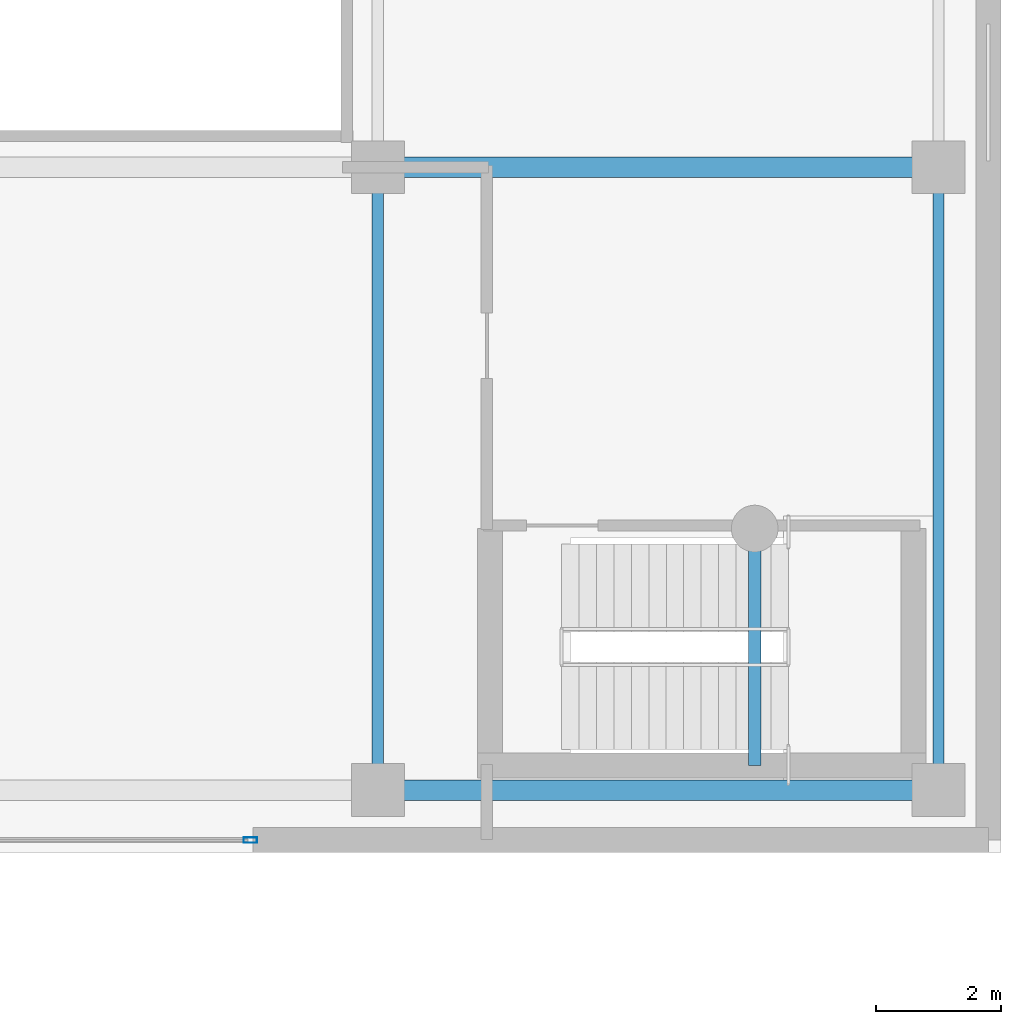
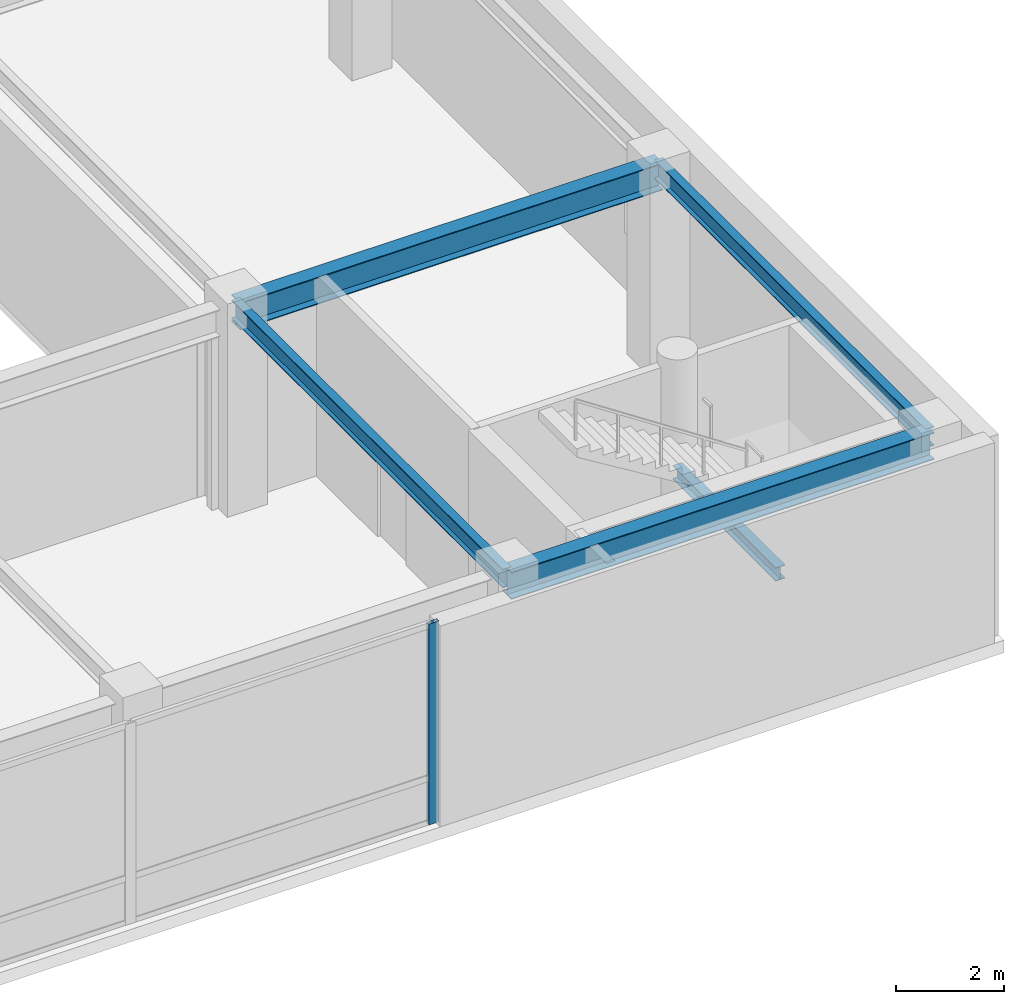
# One storey, part 23 of 40: 5 beams, 1 member, 1 element without a shape of its own.
"""IFC4 building model written with IfcOpenShell, lengths in metres."""

from ifc_helpers import new_model, si_unit, direction, frame, origin, origin_2d, place, context, subcontext, project, spatial, hollow_rectangle, i_section, extrude, material, layer, layer_set, material_profile, profile_set, type_object, element, aggregate, save


model = new_model("IFC4")

# Units and contexts
model_context = context("Model", 3, precision=1e-05, world=origin(), true_north=direction((0.0, 1.0)))
body_context = subcontext(model_context, "Body", "Model", "MODEL_VIEW")
ifc_project = project(units=[si_unit("LENGTHUNIT", "METRE"), si_unit("AREAUNIT", "SQUARE_METRE"), si_unit("VOLUMEUNIT", "CUBIC_METRE"), si_unit("PLANEANGLEUNIT", "RADIAN"), si_unit("MASSUNIT", "GRAM", prefix="KILO")], contexts=[model_context])

# Site, building, storey
site_placement = place(None, origin())
site = spatial("IfcSite", under=ifc_project, at=site_placement, CompositionType="ELEMENT")
building_placement = place(site_placement, origin())
building = spatial("IfcBuilding", under=site, at=building_placement, Name="Kazevale Care Tower and Concert Hall", CompositionType="ELEMENT")
storey_placement = place(building_placement, frame((0.0, 0.0, 9.60009765625)))
storey = spatial("IfcBuildingStorey", under=building, at=storey_placement, Name="L02", CompositionType="ELEMENT", Elevation=9.60009765625)

# Curtain wall, member
ifc_material_1 = material(Name="Aluminium 6063-T6 and Low-E Glass", Category="aluminium")
ifc_layer = layer(ifc_material_1, 0.179931640625)
ifc_layer_set = layer_set([ifc_layer], Name="Aluminium 6063-T6 and Low-E Glass")
curtain_wall_type = type_object("IfcCurtainWallType", Name="Concert Hall Foyer Storefront Curtain Wall CW-6", PredefinedType="NOTDEFINED", material=ifc_layer_set)
curtain_wall_placement = place(storey_placement, origin())
curtain_wall = element("IfcCurtainWall", 1, at=curtain_wall_placement, inside=storey, type_object=curtain_wall_type, Name="cw:L02:hall:S3", PredefinedType="NOTDEFINED")
ifc_material_2 = material(Name="Aluminium 6063-T6", Category="aluminium")
ifc_material_profile_1 = material_profile(ifc_material_2, hollow_rectangle(XDim=0.090087890625, YDim=0.219970703125, WallThickness=0.0048828125, at=origin_2d()), Name="ALU90x220x5")
ifc_profile_set_1 = profile_set([ifc_material_profile_1], Name="Aluminium 6063-T6")
member_type = type_object("IfcMemberType", Name="CW-6 Mullion ALU90x220x5", PredefinedType="MULLION", material=ifc_profile_set_1)
member_placement = place(storey_placement, frame((133.955078125, 14.199951171875, 0.0), z_axis=(0.0, 0.0, 1.0), x_axis=(0.0, 1.0, 0.0)))
member = element("IfcMember", 2, at=member_placement, type_object=member_type, Name="CW-6 mullion 3", PredefinedType="MULLION", context=body_context, shape_type="SweptSolid", body=[
    extrude(hollow_rectangle(XDim=0.090087890625, YDim=0.219970703125, WallThickness=0.0048828125, at=origin_2d()), origin(), (0.0, 0.0, 1.0), 4.52001953125),
])
aggregate(curtain_wall, [member])

# Beams
ifc_material_3 = material(Name="Steel ASTM A572 Gr 50", Category="steel")
ifc_material_profile_2 = material_profile(ifc_material_3, i_section(OverallWidth=0.323974609375, OverallDepth=0.611083984375, WebThickness=0.0126953125, FlangeThickness=0.01904296875, at=origin_2d()), Name="W610x155")
ifc_profile_set_2 = profile_set([ifc_material_profile_2], Name="Steel ASTM A572 Gr 50")
beam_type_1 = type_object("IfcBeamType", Name="Concert Hall Frame Girder W610x155", PredefinedType="BEAM", material=ifc_profile_set_2)
for number, where, z_axis, x_axis, name in (
    (3, (136.0, 15.0, 4.21435546875), (1.0, 0.0, 0.0), (0.0, 1.0, 0.0), "beam:L02:hx:136_15"),
    (4, (136.0, 25.0, 4.21435546875), (1.0, 0.0, 0.0), (0.0, 1.0, 0.0), "beam:L02:hx:136_25"),
):
    element("IfcBeam", number, at=place(storey_placement, frame(where, z_axis=z_axis, x_axis=x_axis)), inside=storey, type_object=beam_type_1, Name=name, PredefinedType="BEAM", context=body_context, shape_type="SweptSolid", body=[
        extrude(i_section(OverallWidth=0.323974609375, OverallDepth=0.611083984375, WebThickness=0.0126953125, FlangeThickness=0.01904296875, at=origin_2d()), origin(), (0.0, 0.0, 1.0), 9.0),
    ])
ifc_material_profile_3 = material_profile(ifc_material_3, i_section(OverallWidth=0.180908203125, OverallDepth=0.4169921875, WebThickness=0.010986328125, FlangeThickness=0.018310546875, at=origin_2d()), Name="W410x85")
ifc_profile_set_3 = profile_set([ifc_material_profile_3], Name="Steel ASTM A572 Gr 50")
beam_type_2 = type_object("IfcBeamType", Name="Concert Hall Secondary Beam W410x85", PredefinedType="BEAM", material=ifc_profile_set_3)
for number, where, z_axis, x_axis, name in (
    (5, (136.0, 15.0, 4.3115234375), (0.0, 1.0, 0.0), (-1.0, 0.0, 0.0), "beam:L02:hy:136_15"),
    (6, (145.0, 15.0, 4.3115234375), (0.0, 1.0, 0.0), (-1.0, 0.0, 0.0), "beam:L02:hy:145_15"),
):
    element("IfcBeam", number, at=place(storey_placement, frame(where, z_axis=z_axis, x_axis=x_axis)), inside=storey, type_object=beam_type_2, Name=name, PredefinedType="BEAM", context=body_context, shape_type="SweptSolid", body=[
        extrude(i_section(OverallWidth=0.180908203125, OverallDepth=0.4169921875, WebThickness=0.010986328125, FlangeThickness=0.018310546875, at=origin_2d()), origin(), (0.0, 0.0, 1.0), 10.0),
    ])
ifc_material_profile_4 = material_profile(ifc_material_3, i_section(OverallWidth=0.202880859375, OverallDepth=0.302978515625, WebThickness=0.007568359375, FlangeThickness=0.01318359375, at=origin_2d()), Name="W310x60")
ifc_profile_set_4 = profile_set([ifc_material_profile_4], Name="Steel ASTM A572 Gr 50")
beam_type_3 = type_object("IfcBeamType", Name="Stair & Balcony Trimmer W310x60", PredefinedType="BEAM", material=ifc_profile_set_4)
beam_placement = place(storey_placement, frame((142.050048828125, 15.39990234375, 2.04833984375), z_axis=(0.0, 1.0, 0.0), x_axis=(-1.0, 0.0, 0.0)))
element("IfcBeam", 7, at=beam_placement, inside=storey, type_object=beam_type_3, Name="beam:L02:ST5:trim:1", PredefinedType="BEAM", context=body_context, shape_type="SweptSolid", body=[
    extrude(i_section(OverallWidth=0.202880859375, OverallDepth=0.302978515625, WebThickness=0.007568359375, FlangeThickness=0.01318359375, at=origin_2d()), origin(), (0.0, 0.0, 1.0), 3.800048828125),
])

save(model, "model.ifc")
